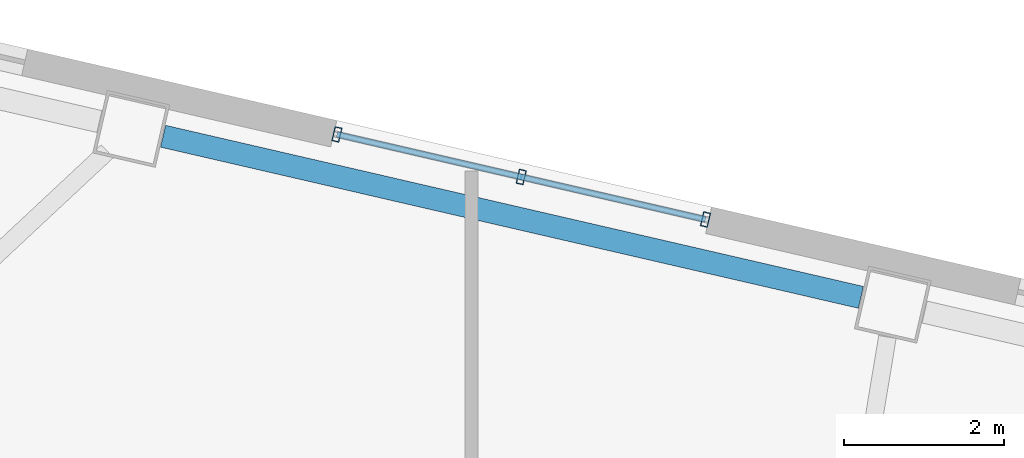
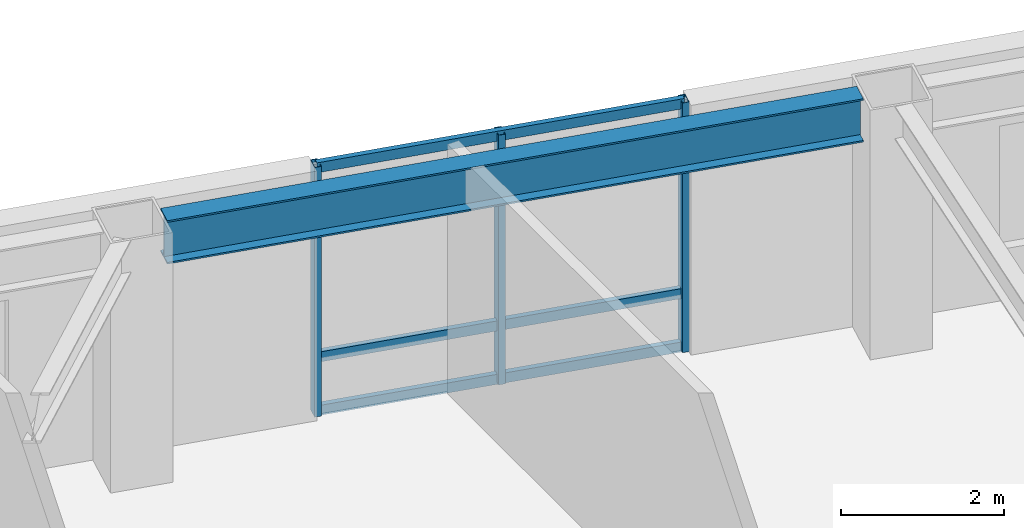
# One storey, part 5 of 18: 6 members, 1 beam, 1 element without a shape of its own.
"""IFC4 building model written with IfcOpenShell, lengths in metres."""

from ifc_helpers import new_model, si_unit, direction, frame, origin, origin_2d, place, context, subcontext, project, spatial, hollow_rectangle, i_section, extrude, material, layer, layer_set, material_profile, profile_set, type_object, element, aggregate, save


model = new_model("IFC4")

# Units and contexts
model_context = context("Model", 3, precision=1e-05, world=origin(), true_north=direction((0.0, 1.0)))
body_context = subcontext(model_context, "Body", "Model", "MODEL_VIEW")
ifc_project = project(units=[si_unit("LENGTHUNIT", "METRE"), si_unit("AREAUNIT", "SQUARE_METRE"), si_unit("VOLUMEUNIT", "CUBIC_METRE"), si_unit("PLANEANGLEUNIT", "RADIAN"), si_unit("MASSUNIT", "GRAM", prefix="KILO")], contexts=[model_context])

# Site, building, storey
site_placement = place(None, origin())
site = spatial("IfcSite", under=ifc_project, at=site_placement, CompositionType="ELEMENT")
building_placement = place(site_placement, origin())
building = spatial("IfcBuilding", under=site, at=building_placement, Name="Tavrogorsk Clinical Tower", CompositionType="ELEMENT")
storey_placement = place(building_placement, frame((0.0, 0.0, 51.39990234375)))
storey = spatial("IfcBuildingStorey", under=building, at=storey_placement, Name="L10", CompositionType="ELEMENT", Elevation=51.39990234375)

# Curtain wall, members
ifc_material_1 = material(Name="Anodised aluminium and triple IGU glazing", Category="aluminium")
ifc_layer = layer(ifc_material_1, 0.179931640625)
ifc_layer_set = layer_set([ifc_layer], Name="Anodised aluminium and triple IGU glazing")
curtain_wall_type = type_object("IfcCurtainWallType", Name="CW2_NorthSlot", PredefinedType="NOTDEFINED", material=ifc_layer_set)
curtain_wall_placement = place(storey_placement, origin())
curtain_wall = element("IfcCurtainWall", 1, at=curtain_wall_placement, inside=storey, type_object=curtain_wall_type, Name="L10 Curtain Wall CW-L10-N-SLOT-1", PredefinedType="NOTDEFINED")
ifc_material_2 = material(Name="Anodised aluminium alloy AW-6060", Category="aluminium")
ifc_material_profile_1 = material_profile(ifc_material_2, hollow_rectangle(XDim=0.090087890625, YDim=0.179931640625, WallThickness=0.00634765625, at=origin_2d()), Name="RHS-180x90x6.3")
ifc_profile_set_1 = profile_set([ifc_material_profile_1], Name="Anodised aluminium alloy AW-6060")
member_type_1 = type_object("IfcMemberType", Name="CwMullion_180x90", PredefinedType="MULLION", material=ifc_profile_set_1)
member_1_placement = place(storey_placement, frame((-3.879638671875, 24.640625, 0.0), z_axis=(0.0, 0.0, 1.0), x_axis=(-0.974370102963, 0.224950888978, 0.0)))
member_1 = element("IfcMember", 2, at=member_1_placement, type_object=member_type_1, Name="CW-L10-N-SLOT-1 Mullion 1", PredefinedType="MULLION", context=body_context, shape_type="SweptSolid", body=[
    extrude(hollow_rectangle(XDim=0.090087890625, YDim=0.179931640625, WallThickness=0.00634765625, at=origin_2d()), origin(), (0.0, 0.0, 1.0), 3.739990234375),
])
member_2_placement = place(storey_placement, frame((-6.17822265625, 25.171142578125, 0.0), z_axis=(0.0, 0.0, 1.0), x_axis=(-0.974370102963, 0.224950888978, 0.0)))
member_2 = element("IfcMember", 3, at=member_2_placement, type_object=member_type_1, Name="CW-L10-N-SLOT-1 Mullion 2", PredefinedType="MULLION", context=body_context, shape_type="SweptSolid", body=[
    extrude(hollow_rectangle(XDim=0.090087890625, YDim=0.179931640625, WallThickness=0.00634765625, at=origin_2d()), origin(), (0.0, 0.0, 1.0), 3.739990234375),
])
member_3_placement = place(storey_placement, frame((-8.476806640625, 25.701904296875, 0.0), z_axis=(0.0, 0.0, 1.0), x_axis=(-0.974370102963, 0.224950888978, 0.0)))
member_3 = element("IfcMember", 4, at=member_3_placement, type_object=member_type_1, Name="CW-L10-N-SLOT-1 Mullion 3", PredefinedType="MULLION", context=body_context, shape_type="SweptSolid", body=[
    extrude(hollow_rectangle(XDim=0.090087890625, YDim=0.179931640625, WallThickness=0.00634765625, at=origin_2d()), origin(), (0.0, 0.0, 1.0), 3.739990234375),
])
ifc_material_3 = material(Name="Anodised aluminium alloy AW-6060", Category="aluminium")
ifc_material_profile_2 = material_profile(ifc_material_3, hollow_rectangle(XDim=0.074951171875, YDim=0.14990234375, WallThickness=0.0048828125, at=origin_2d()), Name="RHS-150x75x5")
ifc_profile_set_2 = profile_set([ifc_material_profile_2], Name="Anodised aluminium alloy AW-6060")
member_type_2 = type_object("IfcMemberType", Name="CwTransom_150x75", PredefinedType="USERDEFINED", material=ifc_profile_set_2)
member_4_placement = place(storey_placement, frame((-3.879638671875, 24.640625, 0.050048828125), z_axis=(-0.974372877948, 0.22493886885, 0.0), x_axis=(-0.22493886885, -0.974372877948, 0.0)))
member_4 = element("IfcMember", 5, at=member_4_placement, type_object=member_type_2, Name="CW-L10-N-SLOT-1 Transom 1", ObjectType="TRANSOM", PredefinedType="USERDEFINED", context=body_context, shape_type="SweptSolid", body=[
    extrude(hollow_rectangle(XDim=0.074951171875, YDim=0.14990234375, WallThickness=0.0048828125, at=origin_2d()), origin(), (0.0, 0.0, 1.0), 4.718017578125),
])
member_5_placement = place(storey_placement, frame((-3.879638671875, 24.640625, 0.85009765625), z_axis=(-0.974372877948, 0.22493886885, 0.0), x_axis=(-0.22493886885, -0.974372877948, 0.0)))
member_5 = element("IfcMember", 6, at=member_5_placement, type_object=member_type_2, Name="CW-L10-N-SLOT-1 Transom 2", ObjectType="TRANSOM", PredefinedType="USERDEFINED", context=body_context, shape_type="SweptSolid", body=[
    extrude(hollow_rectangle(XDim=0.074951171875, YDim=0.14990234375, WallThickness=0.0048828125, at=origin_2d()), origin(), (0.0, 0.0, 1.0), 4.718017578125),
])
member_6_placement = place(storey_placement, frame((-3.879638671875, 24.640625, 3.690185546875), z_axis=(-0.974372877948, 0.22493886885, 0.0), x_axis=(-0.22493886885, -0.974372877948, 0.0)))
member_6 = element("IfcMember", 7, at=member_6_placement, type_object=member_type_2, Name="CW-L10-N-SLOT-1 Transom 3", ObjectType="TRANSOM", PredefinedType="USERDEFINED", context=body_context, shape_type="SweptSolid", body=[
    extrude(hollow_rectangle(XDim=0.074951171875, YDim=0.14990234375, WallThickness=0.0048828125, at=origin_2d()), origin(), (0.0, 0.0, 1.0), 4.718017578125),
])
aggregate(curtain_wall, [member_1, member_2, member_3, member_4, member_5, member_6])

# Beam
ifc_material_4 = material(Name="Structural steel S390", Category="steel")
ifc_material_profile_3 = material_profile(ifc_material_4, i_section(OverallWidth=0.280029296875, OverallDepth=0.64990234375, WebThickness=0.01611328125, FlangeThickness=0.02490234375, at=origin_2d()), Name="B-650x280x16x25")
ifc_profile_set_3 = profile_set([ifc_material_profile_3], Name="Structural steel S390")
beam_type = type_object("IfcBeamType", Name="SpandrelBeam_B650", PredefinedType="SPANDREL", material=ifc_profile_set_3)
beam_placement = place(storey_placement, frame((-1.941162109375, 23.669677734375, 3.4150390625), z_axis=(-0.974372766602, 0.224939351168, 0.0), x_axis=(-0.224939351168, -0.974372766602, 0.0)))
element("IfcBeam", 8, at=beam_placement, inside=storey, type_object=beam_type, Name="L10 Perimeter Spandrel N5-N6", PredefinedType="SPANDREL", context=body_context, shape_type="SweptSolid", body=[
    extrude(i_section(OverallWidth=0.280029296875, OverallDepth=0.64990234375, WebThickness=0.01611328125, FlangeThickness=0.02490234375, at=origin_2d()), origin(), (0.0, 0.0, 1.0), 8.9326171875),
])

save(model, "model.ifc")
